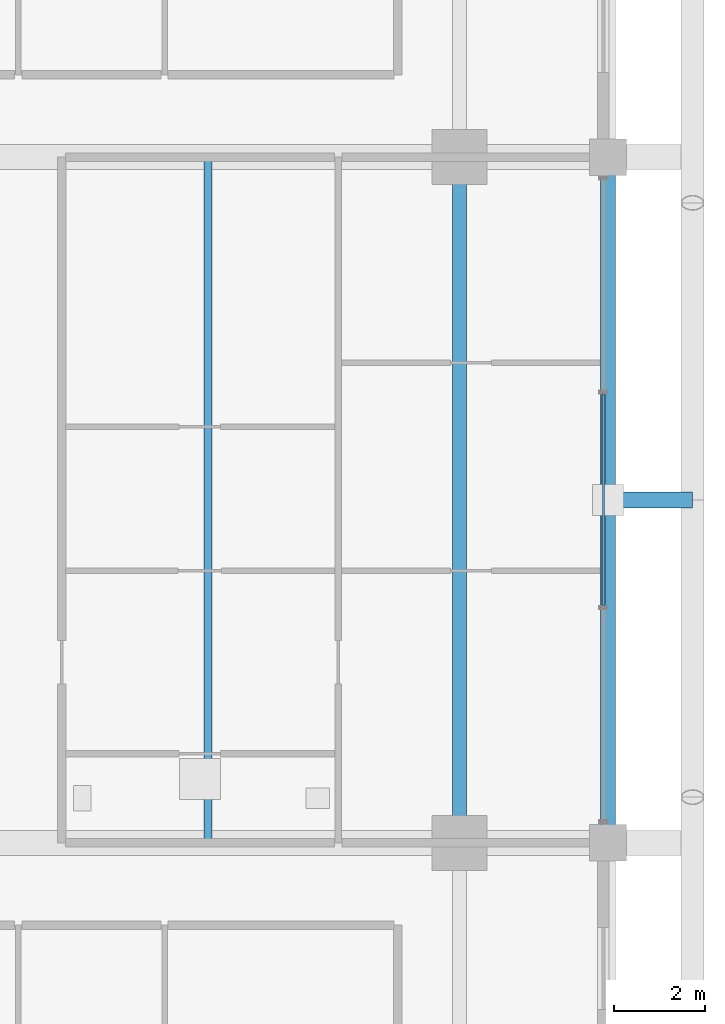
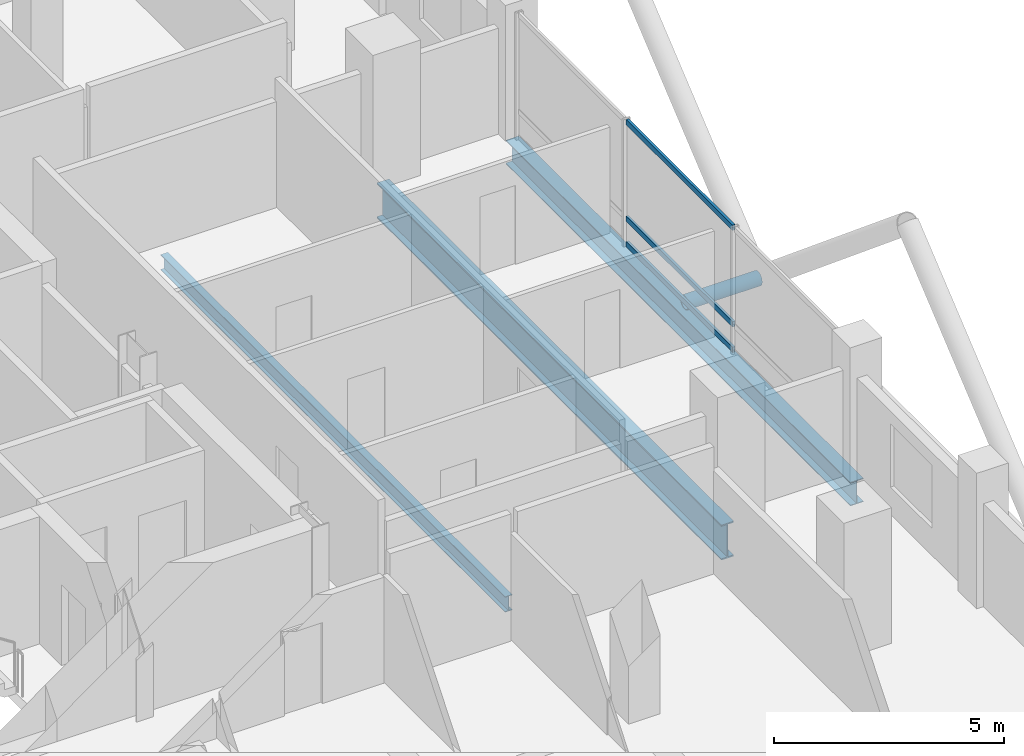
# One storey, part 8 of 21: 4 members, 3 beams, 1 element without a shape of its own.
"""IFC4 building model written with IfcOpenShell, lengths in metres."""

import ifcopenshell
import ifcopenshell.guid

model = None  # the IFC model being written
_history = None  # IfcOwnerHistory: only IFC2X3 demands one
_inside = {}  # id of a spatial element -> (the spatial element, [elements in it])
_under = {}  # id of a project, library or spatial element -> (it, [spatial elements below it])
_declared = {}  # id of a project -> (the project, [libraries it declares])
_typed = {}  # id of a type object -> (the type object, [elements of that type])
_made_of = {}  # id of a material, layer set ... -> (it, [elements and type objects made of it])


def new_model(schema):
    """Start an empty IFC model of exactly this schema.

    Asked for "IFC4X3", IfcOpenShell would pick the latest addendum, in which some entities
    have other attributes; the version numbers below select the first issue.
    IFC2X3 requires an IfcOwnerHistory on every rooted entity: one is made here for all.
    """
    global model, _history
    if schema == "IFC4X3":
        model = ifcopenshell.file(schema_version=(4, 3, 0, 0))
    else:
        model = ifcopenshell.file(schema=schema)
    _inside.clear()
    _under.clear()
    _declared.clear()
    _typed.clear()
    _made_of.clear()
    _history = None
    if model.schema == "IFC2X3":
        org = make("IfcOrganization", Name="unknown")
        user = make(
            "IfcPersonAndOrganization",
            ThePerson=make("IfcPerson", FamilyName="unknown"),
            TheOrganization=org,
        )
        app = make(
            "IfcApplication",
            ApplicationDeveloper=org,
            Version="unknown",
            ApplicationFullName="unknown",
            ApplicationIdentifier="unknown",
        )
        _history = make(
            "IfcOwnerHistory",
            OwningUser=user,
            OwningApplication=app,
            ChangeAction="ADDED",
            CreationDate=0,
        )
    return model


def make(cls, **values):
    """One entity of the class cls with the attributes given. An attribute that is None is left unset."""
    return model.create_entity(
        cls, **{name: value for name, value in values.items() if value is not None}
    )


def rooted(cls, **values):
    """An entity with a GlobalId (a new one), such as an element, a storey or a relation."""
    return make(cls, GlobalId=ifcopenshell.guid.new(), OwnerHistory=_history, **values)


def si_unit(unit_type, name, prefix=None):
    """IfcSIUnit, for example si_unit("LENGTHUNIT", "METRE", prefix="MILLI")."""
    return make("IfcSIUnit", UnitType=unit_type, Prefix=prefix, Name=name)


def assignment(units):
    """IfcUnitAssignment: the units of a project."""
    return None if units is None else make("IfcUnitAssignment", Units=units)


def point(xyz):
    """IfcCartesianPoint."""
    return None if xyz is None else make("IfcCartesianPoint", Coordinates=xyz)


def direction(xyz):
    """IfcDirection."""
    return None if xyz is None else make("IfcDirection", DirectionRatios=xyz)


def frame(location, z_axis=None, x_axis=None):
    """IfcAxis2Placement3D, a coordinate frame: its origin and axes. An axis left out is left unset."""
    return make(
        "IfcAxis2Placement3D",
        Location=point(location),
        Axis=direction(z_axis),
        RefDirection=direction(x_axis),
    )


def frame_2d(location, x_axis=None):
    """IfcAxis2Placement2D, a coordinate frame in the plane: its origin and x axis."""
    return make(
        "IfcAxis2Placement2D", Location=point(location), RefDirection=direction(x_axis)
    )


def origin():
    """The frame at (0, 0, 0) with its axes left unset."""
    return frame((0.0, 0.0, 0.0))


def origin_2d():
    """The frame at (0, 0) in the plane with its x axis left unset."""
    return frame_2d((0.0, 0.0))


def place(relative_to, where):
    """IfcLocalPlacement: puts the frame where relative to a parent placement (None: the world)."""
    return make(
        "IfcLocalPlacement", PlacementRelTo=relative_to, RelativePlacement=where
    )


def context(
    kind, dimensions, precision=None, world=None, true_north=None, identifier=None
):
    """IfcGeometricRepresentationContext, for example the 3D "Model" context."""
    return make(
        "IfcGeometricRepresentationContext",
        ContextIdentifier=identifier,
        ContextType=kind,
        CoordinateSpaceDimension=dimensions,
        Precision=precision,
        WorldCoordinateSystem=world,
        TrueNorth=true_north,
    )


def subcontext(parent, identifier, kind, view, scale=None):
    """IfcGeometricRepresentationSubContext, for example "Body" below "Model"."""
    return make(
        "IfcGeometricRepresentationSubContext",
        ContextIdentifier=identifier,
        ContextType=kind,
        ParentContext=parent,
        TargetScale=scale,
        TargetView=view,
    )


def project(units=None, contexts=None):
    """IfcProject with its units and contexts."""
    return rooted(
        "IfcProject",
        Name="project",
        RepresentationContexts=contexts,
        UnitsInContext=assignment(units),
    )


def spatial(cls, under=None, at=None, **own):
    """A site, building, storey or space (cls), placed at a placement, below another one or the project."""
    s = rooted(cls, ObjectPlacement=at, **own)
    if under is not None:
        _under.setdefault(under.id(), (under, []))[1].append(s)
    return s


def profile(cls, at=None, kind="AREA", **sizes):
    """A parametric profile (cls). Its sizes go by their IFC names, for example OverallWidth=200.0."""
    return make(cls, ProfileType=kind, Position=at, **sizes)


def hollow_rectangle(**sizes):
    """IfcRectangleHollowProfileDef."""
    return profile("IfcRectangleHollowProfileDef", **sizes)


def hollow_circle(**sizes):
    """IfcCircleHollowProfileDef."""
    return profile("IfcCircleHollowProfileDef", **sizes)


def i_section(**sizes):
    """IfcIShapeProfileDef."""
    return profile("IfcIShapeProfileDef", **sizes)


def extrude(swept, where, along, depth):
    """IfcExtrudedAreaSolid: the profile swept, set in the frame where, extruded along a direction by depth."""
    return make(
        "IfcExtrudedAreaSolid",
        SweptArea=swept,
        Position=where,
        ExtrudedDirection=direction(along),
        Depth=depth,
    )


def shape(context_of_items, identifier, shape_type, items):
    """IfcShapeRepresentation: the items that make up one representation, for example the "Body"."""
    return make(
        "IfcShapeRepresentation",
        ContextOfItems=context_of_items,
        RepresentationIdentifier=identifier,
        RepresentationType=shape_type,
        Items=items,
    )


def material(Name=None, Category=None):
    """IfcMaterial."""
    return make("IfcMaterial", Name=Name, Category=Category)


def layer(
    of_material, thickness, ventilated=None, Name=None, Category=None, Priority=None
):
    """IfcMaterialLayer: one layer of a wall or slab, of a material (None: an air gap)."""
    return make(
        "IfcMaterialLayer",
        Material=of_material,
        LayerThickness=thickness,
        IsVentilated=ventilated,
        Name=Name,
        Category=Category,
        Priority=Priority,
    )


def layer_set(layers, Name=None):
    """IfcMaterialLayerSet."""
    return make("IfcMaterialLayerSet", MaterialLayers=layers, LayerSetName=Name)


def material_profile(
    of_material, cross_section, Name=None, Category=None, Priority=None
):
    """IfcMaterialProfile: a cross section and its material."""
    return make(
        "IfcMaterialProfile",
        Name=Name,
        Material=of_material,
        Profile=cross_section,
        Priority=Priority,
        Category=Category,
    )


def profile_set(profiles, Name=None, composite=None):
    """IfcMaterialProfileSet."""
    return make(
        "IfcMaterialProfileSet",
        Name=Name,
        MaterialProfiles=profiles,
        CompositeProfile=composite,
    )


def made_of(thing, what):
    """Note that an element or type object is made of a material, layer set ...; save() writes the relation."""
    if what is not None:
        _made_of.setdefault(what.id(), (what, []))[1].append(thing)
    return thing


def type_object(cls, material=None, **own):
    """A type object (cls), such as IfcWallType, which elements share."""
    return made_of(rooted(cls, **own), material)


def element(
    cls,
    number,
    at=None,
    inside=None,
    cuts=None,
    type_object=None,
    material=None,
    context=None,
    identifier="Body",
    shape_type=None,
    held_by="IfcProductDefinitionShape",
    body=None,
    shapes=None,
    **own,
):
    """One element of the class cls, such as IfcWall. Its Tag is "e" and its number.

    at: its placement. inside: the storey or other place that contains it. cuts: it is an
    opening in that element (IfcRelVoidsElement). A single representation is given by context,
    identifier, shape_type and body (its items); several are given by shapes. held_by: the class
    of the entity that holds the representations. save() writes the other relations.
    """
    e = rooted(cls, Tag="e%d" % number, ObjectPlacement=at, **own)
    if body is not None:
        shapes = [shape(context, identifier, shape_type, body)]
    if shapes is not None:
        e.Representation = make(held_by, Representations=shapes)
    if inside is not None:
        _inside.setdefault(inside.id(), (inside, []))[1].append(e)
    if cuts is not None:
        rooted(
            "IfcRelVoidsElement", RelatingBuildingElement=cuts, RelatedOpeningElement=e
        )
    if type_object is not None:
        _typed.setdefault(type_object.id(), (type_object, []))[1].append(e)
    return made_of(e, material)


def aggregate(whole, parts):
    """IfcRelAggregates: a whole, such as a stair, and the parts it consists of."""
    return rooted("IfcRelAggregates", RelatingObject=whole, RelatedObjects=parts)


def save(model, path):
    """Write the relations noted so far, then the file.

    IfcRelAggregates (storeys below a building ...), IfcRelContainedInSpatialStructure (elements
    in a storey), IfcRelDefinesByType, IfcRelAssociatesMaterial and IfcRelDeclares: one each for
    every whole, place, type object, material and project.
    """
    for whole, parts in _under.values():
        aggregate(whole, parts)
    for where, things in _inside.values():
        rooted(
            "IfcRelContainedInSpatialStructure",
            RelatedElements=things,
            RelatingStructure=where,
        )
    for kind, things in _typed.values():
        rooted("IfcRelDefinesByType", RelatedObjects=things, RelatingType=kind)
    for what, things in _made_of.values():
        rooted("IfcRelAssociatesMaterial", RelatedObjects=things, RelatingMaterial=what)
    for by, libraries in _declared.values():
        rooted("IfcRelDeclares", RelatingContext=by, RelatedDefinitions=libraries)
    model.write(path)


model = new_model("IFC4")

# Units and contexts
model_context = context("Model", 3, precision=1e-05, world=origin(), true_north=direction((0.0, 1.0)))
body_context = subcontext(model_context, "Body", "Model", "MODEL_VIEW")
ifc_project = project(units=[si_unit("LENGTHUNIT", "METRE"), si_unit("AREAUNIT", "SQUARE_METRE"), si_unit("VOLUMEUNIT", "CUBIC_METRE"), si_unit("PLANEANGLEUNIT", "RADIAN"), si_unit("MASSUNIT", "GRAM", prefix="KILO")], contexts=[model_context])

# Site, building, storey
site_placement = place(None, origin())
site = spatial("IfcSite", under=ifc_project, at=site_placement, CompositionType="ELEMENT")
building_placement = place(site_placement, origin())
building = spatial("IfcBuilding", under=site, at=building_placement, Name="Barlavira Tower and Art Museum", CompositionType="ELEMENT")
storey_placement = place(building_placement, frame((0.0, 0.0, 99.0)))
storey = spatial("IfcBuildingStorey", under=building, at=storey_placement, Name="L24", CompositionType="ELEMENT", Elevation=99.0)

# Curtain wall, members
ifc_material_1 = material(Name="Low-iron coastal laminated glass", Category="glass")
ifc_layer = layer(ifc_material_1, 0.18994140625, Name="Low-iron coastal laminated glass")
ifc_layer_set = layer_set([ifc_layer], Name="Low-iron coastal laminated glass")
curtain_wall_type = type_object("IfcCurtainWallType", Name="Pale-Metal Unitised Curtain Wall Zone 2", PredefinedType="NOTDEFINED", material=ifc_layer_set)
curtain_wall_placement = place(storey_placement, origin())
curtain_wall = element("IfcCurtainWall", 1, at=curtain_wall_placement, inside=storey, type_object=curtain_wall_type, Name="L24 Curtain Wall CW2-L24-E-B3", PredefinedType="NOTDEFINED")
ifc_material_2 = material(Name="Pale anodised aluminium", Category="aluminium")
ifc_material_profile_1 = material_profile(ifc_material_2, hollow_rectangle(XDim=0.06494140625, YDim=0.139892578125, WallThickness=0.00390625, at=origin_2d()), Name="ALU-TRAN 65x140x4")
ifc_profile_set_1 = profile_set([ifc_material_profile_1], Name="Pale anodised aluminium")
member_type_1 = type_object("IfcMemberType", Name="Curtain Wall Pale-Metal Transom 65x140", PredefinedType="USERDEFINED", material=ifc_profile_set_1)
member_1_placement = place(storey_placement, frame((20.14990234375, -2.31494140625, 0.070068359375), z_axis=(0.0, 1.0, 0.0), x_axis=(-1.0, 0.0, 0.0)))
member_1 = element("IfcMember", 2, at=member_1_placement, type_object=member_type_1, Name="CW2-L24-E-B3 Transom 1.1", ObjectType="TRANSOM", PredefinedType="USERDEFINED", context=body_context, shape_type="SweptSolid", body=[
    extrude(hollow_rectangle(XDim=0.06494140625, YDim=0.139892578125, WallThickness=0.00390625, at=origin_2d()), origin(), (0.0, 0.0, 1.0), 4.6298828125),
])
member_2_placement = place(storey_placement, frame((20.14990234375, -2.31494140625, 0.743896484375), z_axis=(0.0, 1.0, 0.0), x_axis=(-1.0, 0.0, 0.0)))
member_2 = element("IfcMember", 3, at=member_2_placement, type_object=member_type_1, Name="CW2-L24-E-B3 Transom 1.2", ObjectType="TRANSOM", PredefinedType="USERDEFINED", context=body_context, shape_type="SweptSolid", body=[
    extrude(hollow_rectangle(XDim=0.06494140625, YDim=0.139892578125, WallThickness=0.00390625, at=origin_2d()), origin(), (0.0, 0.0, 1.0), 4.6298828125),
])
member_3_placement = place(storey_placement, frame((20.14990234375, -2.31494140625, 3.31005859375), z_axis=(0.0, 1.0, 0.0), x_axis=(-1.0, 0.0, 0.0)))
member_3 = element("IfcMember", 4, at=member_3_placement, type_object=member_type_1, Name="CW2-L24-E-B3 Transom 1.3", ObjectType="TRANSOM", PredefinedType="USERDEFINED", context=body_context, shape_type="SweptSolid", body=[
    extrude(hollow_rectangle(XDim=0.06494140625, YDim=0.139892578125, WallThickness=0.00390625, at=origin_2d()), origin(), (0.0, 0.0, 1.0), 4.6298828125),
])
aggregate(curtain_wall, [member_1, member_2, member_3])

# Member
ifc_material_3 = material(Name="Steel S355", Category="steel")
ifc_material_profile_2 = material_profile(ifc_material_3, hollow_circle(Radius=0.177734375, WallThickness=0.01611328125, at=origin_2d()), Name="CHS 355.6x16.0")
ifc_profile_set_2 = profile_set([ifc_material_profile_2], Name="Steel S355")
member_type_2 = type_object("IfcMemberType", Name="Pale-Metal Exoskeleton Tie Strut CHS 356x16 Steel S355", PredefinedType="STRUT", material=ifc_profile_set_2)
member_4_placement = place(storey_placement, frame((22.10009765625, 0.0, -0.1201171875), z_axis=(-1.0, 0.0, 0.0), x_axis=(0.0, -1.0, 0.0)))
element("IfcMember", 5, at=member_4_placement, inside=storey, type_object=member_type_2, Name="L24 Exoskeleton Tie Strut E2", PredefinedType="STRUT", context=body_context, shape_type="SweptSolid", body=[
    extrude(hollow_circle(Radius=0.177734375, WallThickness=0.01611328125, at=origin_2d()), origin(), (0.0, 0.0, 1.0), 1.85009765625),
])

# Beams
ifc_material_profile_3 = material_profile(ifc_material_3, i_section(OverallWidth=0.327880859375, OverallDepth=0.62890625, WebThickness=0.013916015625, FlangeThickness=0.021484375, at=origin_2d()), Name="W610x174.0")
ifc_profile_set_3 = profile_set([ifc_material_profile_3], Name="Steel S355")
beam_type_1 = type_object("IfcBeamType", Name="Perimeter Spandrel Edge Beam W610x174 Steel S355", PredefinedType="SPANDREL", material=ifc_profile_set_3)
beam_1_placement = place(storey_placement, frame((20.25, -7.5, -0.614501953125), z_axis=(0.0, 1.0, 0.0), x_axis=(-1.0, 0.0, 0.0)))
element("IfcBeam", 6, at=beam_1_placement, inside=storey, type_object=beam_type_1, Name="L24 Spandrel 6", PredefinedType="SPANDREL", context=body_context, shape_type="SweptSolid", body=[
    extrude(i_section(OverallWidth=0.327880859375, OverallDepth=0.62890625, WebThickness=0.013916015625, FlangeThickness=0.021484375, at=origin_2d()), origin(), (0.0, 0.0, 1.0), 15.0),
])
ifc_material_profile_4 = material_profile(ifc_material_3, i_section(OverallWidth=0.30908203125, OverallDepth=0.931884765625, WebThickness=0.01953125, FlangeThickness=0.034423828125, at=origin_2d()), Name="W920x313.0")
ifc_profile_set_4 = profile_set([ifc_material_profile_4], Name="Steel S355")
beam_type_2 = type_object("IfcBeamType", Name="Setback Ring Girder W920x313 Steel S355", PredefinedType="BEAM", material=ifc_profile_set_4)
beam_2_placement = place(storey_placement, frame((17.0, -7.5, -0.76611328125), z_axis=(0.0, 1.0, 0.0), x_axis=(-1.0, 0.0, 0.0)))
element("IfcBeam", 7, at=beam_2_placement, inside=storey, type_object=beam_type_2, Name="L24 Girder M-E2", PredefinedType="BEAM", context=body_context, shape_type="SweptSolid", body=[
    extrude(i_section(OverallWidth=0.30908203125, OverallDepth=0.931884765625, WebThickness=0.01953125, FlangeThickness=0.034423828125, at=origin_2d()), origin(), (0.0, 0.0, 1.0), 15.0),
])
ifc_material_profile_5 = material_profile(ifc_material_3, i_section(OverallWidth=0.179931640625, OverallDepth=0.4130859375, WebThickness=0.009765625, FlangeThickness=0.01611328125, at=origin_2d()), Name="W410x75.0")
ifc_profile_set_5 = profile_set([ifc_material_profile_5], Name="Steel S355")
beam_type_3 = type_object("IfcBeamType", Name="Zone 2 Composite Floor Joist W410x75 Steel S355", PredefinedType="JOIST", material=ifc_profile_set_5)
beam_3_placement = place(storey_placement, frame((11.5, -7.5, -0.506591796875), z_axis=(0.0, 1.0, 0.0), x_axis=(-1.0, 0.0, 0.0)))
element("IfcBeam", 8, at=beam_3_placement, inside=storey, type_object=beam_type_3, Name="L24 Joist W2", PredefinedType="JOIST", context=body_context, shape_type="SweptSolid", body=[
    extrude(i_section(OverallWidth=0.179931640625, OverallDepth=0.4130859375, WebThickness=0.009765625, FlangeThickness=0.01611328125, at=origin_2d()), origin(), (0.0, 0.0, 1.0), 15.0),
])

save(model, "model.ifc")
